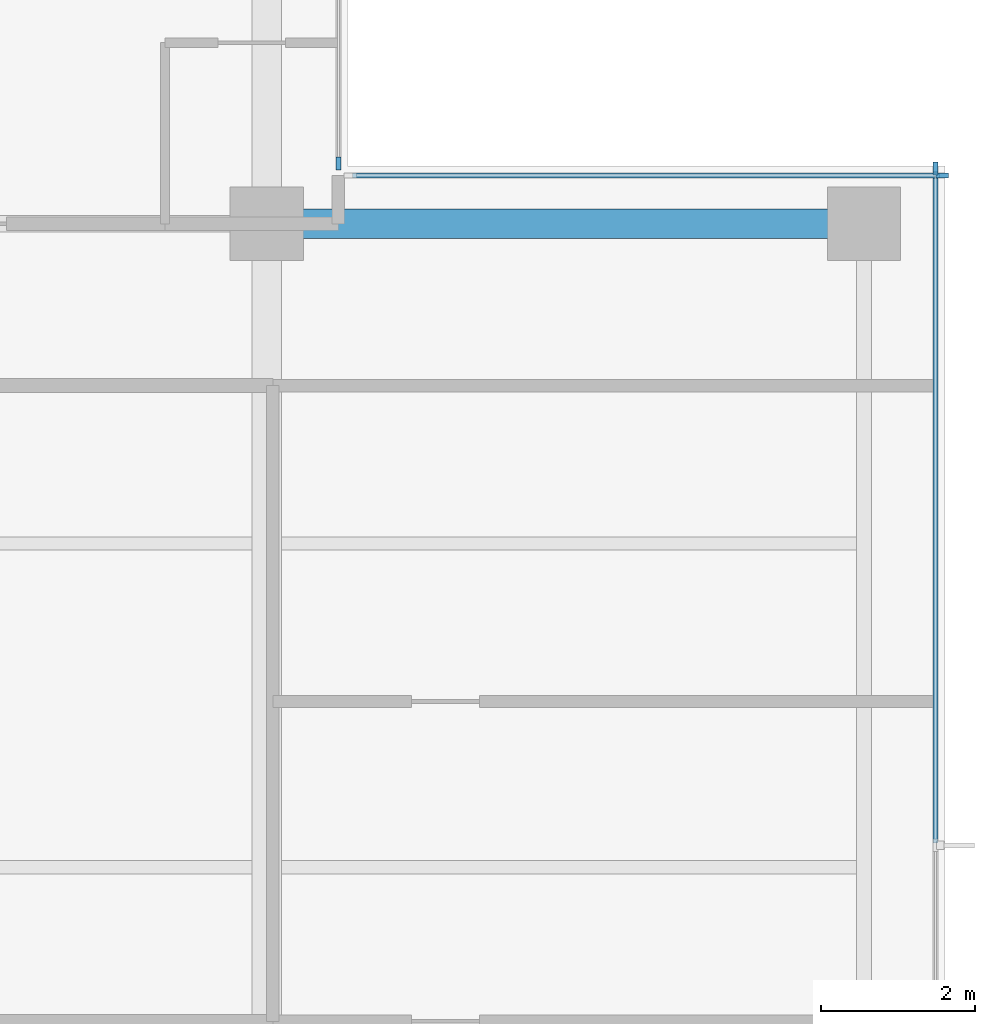
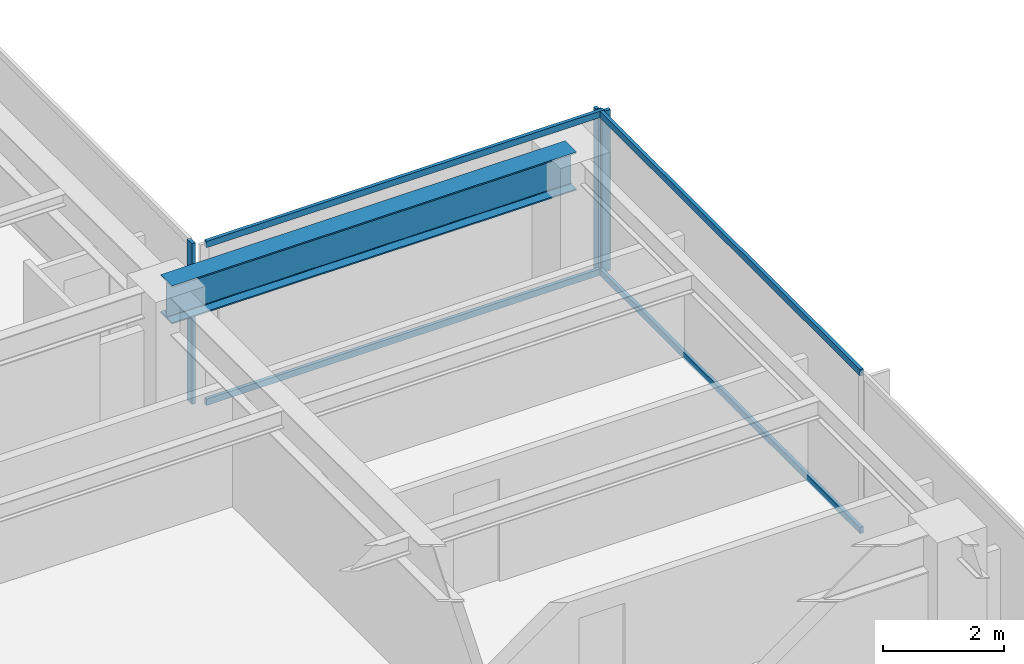
# One storey, part 4 of 15: 7 members, 1 beam, 3 elements without a shape of their own.
"""IFC4 building model written with IfcOpenShell, lengths in metres."""

from ifc_helpers import new_model, si_unit, direction, frame, origin, origin_2d, place, context, subcontext, project, spatial, rectangle, i_section, extrude, material, layer, layer_set, material_profile, profile_set, type_object, element, aggregate, save


model = new_model("IFC4")

# Units and contexts
model_context = context("Model", 3, precision=1e-05, world=origin(), true_north=direction((0.0, 1.0)))
body_context = subcontext(model_context, "Body", "Model", "MODEL_VIEW")
ifc_project = project(units=[si_unit("LENGTHUNIT", "METRE"), si_unit("AREAUNIT", "SQUARE_METRE"), si_unit("VOLUMEUNIT", "CUBIC_METRE"), si_unit("PLANEANGLEUNIT", "RADIAN"), si_unit("MASSUNIT", "GRAM", prefix="KILO")], contexts=[model_context])

# Site, building, storey
site_placement = place(None, origin())
site = spatial("IfcSite", under=ifc_project, at=site_placement, CompositionType="ELEMENT")
building_placement = place(site_placement, origin())
building = spatial("IfcBuilding", under=site, at=building_placement, Name="Qalmaran Belvedere Hotel", CompositionType="ELEMENT")
storey_placement = place(building_placement, frame((0.0, 0.0, 214.39990234375)))
storey = spatial("IfcBuildingStorey", under=building, at=storey_placement, Name="L54", CompositionType="ELEMENT", Elevation=214.39990234375)

# Beam
ifc_material_1 = material(Name="Steel S355JR", Category="steel")
ifc_material_profile_1 = material_profile(ifc_material_1, i_section(OverallWidth=0.381103515625, OverallDepth=0.77294921875, WebThickness=0.0166015625, FlangeThickness=0.027099609375, FilletRadius=0.02197265625, at=origin_2d()), Name="W760X257")
ifc_profile_set_1 = profile_set([ifc_material_profile_1], Name="Steel S355JR")
beam_type = type_object("IfcBeamType", Name="BM-PG4-W760X257", PredefinedType="USERDEFINED", material=ifc_profile_set_1)
beam_placement = place(storey_placement, frame((44.800048828125, 33.0, 2.87353515625), z_axis=(1.0, 0.0, 0.0), x_axis=(0.0, 1.0, 0.0)))
element("IfcBeam", 1, at=beam_placement, inside=storey, type_object=beam_type, Name="L54 East Wing Girder 27", ObjectType="GIRDER", PredefinedType="USERDEFINED", context=body_context, shape_type="SweptSolid", body=[
    extrude(i_section(OverallWidth=0.381103515625, OverallDepth=0.77294921875, WebThickness=0.0166015625, FlangeThickness=0.027099609375, FilletRadius=0.02197265625, at=origin_2d()), origin(), (0.0, 0.0, 1.0), 7.75),
])

# Curtain wall, member
ifc_material_2 = material(Name="Anodised Bronze Aluminium", Category="aluminium")
ifc_layer = layer(ifc_material_2, 0.18994140625, Name="Anodised Bronze Aluminium")
ifc_layer_set = layer_set([ifc_layer], Name="Anodised Bronze Aluminium")
curtain_wall_type = type_object("IfcCurtainWallType", Name="CW5-TOWER-UPPER", PredefinedType="NOTDEFINED", material=ifc_layer_set)
curtain_wall_1_placement = place(storey_placement, origin())
curtain_wall_1 = element("IfcCurtainWall", 2, at=curtain_wall_1_placement, inside=storey, type_object=curtain_wall_type, Name="L54 Curtain Wall CW5", PredefinedType="NOTDEFINED")
ifc_material_profile_2 = material_profile(ifc_material_2, rectangle(XDim=0.06494140625, YDim=0.1650390625, at=origin_2d()), Name="CWM65X165")
ifc_profile_set_2 = profile_set([ifc_material_profile_2], Name="Anodised Bronze Aluminium")
member_type_1 = type_object("IfcMemberType", Name="CWM-65X165", PredefinedType="MULLION", material=ifc_profile_set_2)
member_1_placement = place(storey_placement, frame((53.47998046875, 33.717529296875, 0.0), z_axis=(0.0, 0.0, 1.0), x_axis=(-1.0, 0.0, 0.0)))
member_1 = element("IfcMember", 3, at=member_1_placement, type_object=member_type_1, Name="CW5 mullion 4", PredefinedType="MULLION", context=body_context, shape_type="SweptSolid", body=[
    extrude(rectangle(XDim=0.06494140625, YDim=0.1650390625, at=origin_2d()), origin(), (0.0, 0.0, 1.0), 3.260009765625),
])

curtain_wall_2_placement = place(storey_placement, origin())
curtain_wall_2 = element("IfcCurtainWall", 4, at=curtain_wall_2_placement, inside=storey, type_object=curtain_wall_type, Name="L54 Curtain Wall CW5", PredefinedType="NOTDEFINED")
member_2_placement = place(storey_placement, frame((53.5673828125, 33.6298828125, 0.0), z_axis=(0.0, 0.0, 1.0), x_axis=(0.0, -1.0, 0.0)))
member_2 = element("IfcMember", 5, at=member_2_placement, type_object=member_type_1, Name="CW5 mullion 1", PredefinedType="MULLION", context=body_context, shape_type="SweptSolid", body=[
    extrude(rectangle(XDim=0.06494140625, YDim=0.1650390625, at=origin_2d()), origin(), (0.0, 0.0, 1.0), 3.260009765625),
])

curtain_wall_3_placement = place(storey_placement, origin())
curtain_wall_3 = element("IfcCurtainWall", 6, at=curtain_wall_3_placement, inside=storey, type_object=curtain_wall_type, Name="L54 Curtain Wall CW5", PredefinedType="NOTDEFINED")
member_3_placement = place(storey_placement, frame((45.72998046875, 33.782470703125, 0.0), z_axis=(0.0, 0.0, 1.0), x_axis=(-1.0, 0.0, 0.0)))
member_3 = element("IfcMember", 7, at=member_3_placement, type_object=member_type_1, Name="CW5 mullion 1", PredefinedType="MULLION", context=body_context, shape_type="SweptSolid", body=[
    extrude(rectangle(XDim=0.06494140625, YDim=0.1650390625, at=origin_2d()), origin(), (0.0, 0.0, 1.0), 3.260009765625),
])
aggregate(curtain_wall_3, [member_3])

# Member
ifc_material_profile_3 = material_profile(ifc_material_2, rectangle(XDim=0.06494140625, YDim=0.1298828125, at=origin_2d()), Name="CWT65X130")
ifc_profile_set_3 = profile_set([ifc_material_profile_3], Name="Anodised Bronze Aluminium")
member_type_2 = type_object("IfcMemberType", Name="CWT-65X130", PredefinedType="USERDEFINED", material=ifc_profile_set_3)
member_4_placement = place(storey_placement, frame((53.47998046875, 24.9658203125, 0.03271484375), z_axis=(0.0, 1.0, 0.0), x_axis=(-1.0, 0.0, 0.0)))
member_4 = element("IfcMember", 8, at=member_4_placement, type_object=member_type_2, Name="CW5 transom 3.1", ObjectType="TRANSOM", PredefinedType="USERDEFINED", context=body_context, shape_type="SweptSolid", body=[
    extrude(rectangle(XDim=0.06494140625, YDim=0.1298828125, at=origin_2d()), origin(), (0.0, 0.0, 1.0), 8.71923828125),
])

member_5_placement = place(storey_placement, frame((53.47998046875, 24.9658203125, 3.2275390625), z_axis=(0.0, 1.0, 0.0), x_axis=(-1.0, 0.0, 0.0)))
member_5 = element("IfcMember", 9, at=member_5_placement, type_object=member_type_2, Name="CW5 transom 3.2", ObjectType="TRANSOM", PredefinedType="USERDEFINED", context=body_context, shape_type="SweptSolid", body=[
    extrude(rectangle(XDim=0.06494140625, YDim=0.1298828125, at=origin_2d()), origin(), (0.0, 0.0, 1.0), 8.71923828125),
])

aggregate(curtain_wall_1, [member_1, member_4, member_5])

member_6_placement = place(storey_placement, frame((53.534912109375, 33.6298828125, 0.03271484375), z_axis=(-1.0, 0.0, 0.0), x_axis=(0.0, -1.0, 0.0)))
member_6 = element("IfcMember", 10, at=member_6_placement, type_object=member_type_2, Name="CW5 transom 1.1", ObjectType="TRANSOM", PredefinedType="USERDEFINED", context=body_context, shape_type="SweptSolid", body=[
    extrude(rectangle(XDim=0.06494140625, YDim=0.1298828125, at=origin_2d()), origin(), (0.0, 0.0, 1.0), 7.619873046875),
])

member_7_placement = place(storey_placement, frame((53.534912109375, 33.6298828125, 3.2275390625), z_axis=(-1.0, 0.0, 0.0), x_axis=(0.0, -1.0, 0.0)))
member_7 = element("IfcMember", 11, at=member_7_placement, type_object=member_type_2, Name="CW5 transom 1.2", ObjectType="TRANSOM", PredefinedType="USERDEFINED", context=body_context, shape_type="SweptSolid", body=[
    extrude(rectangle(XDim=0.06494140625, YDim=0.1298828125, at=origin_2d()), origin(), (0.0, 0.0, 1.0), 7.619873046875),
])

aggregate(curtain_wall_2, [member_2, member_6, member_7])

save(model, "model.ifc")
